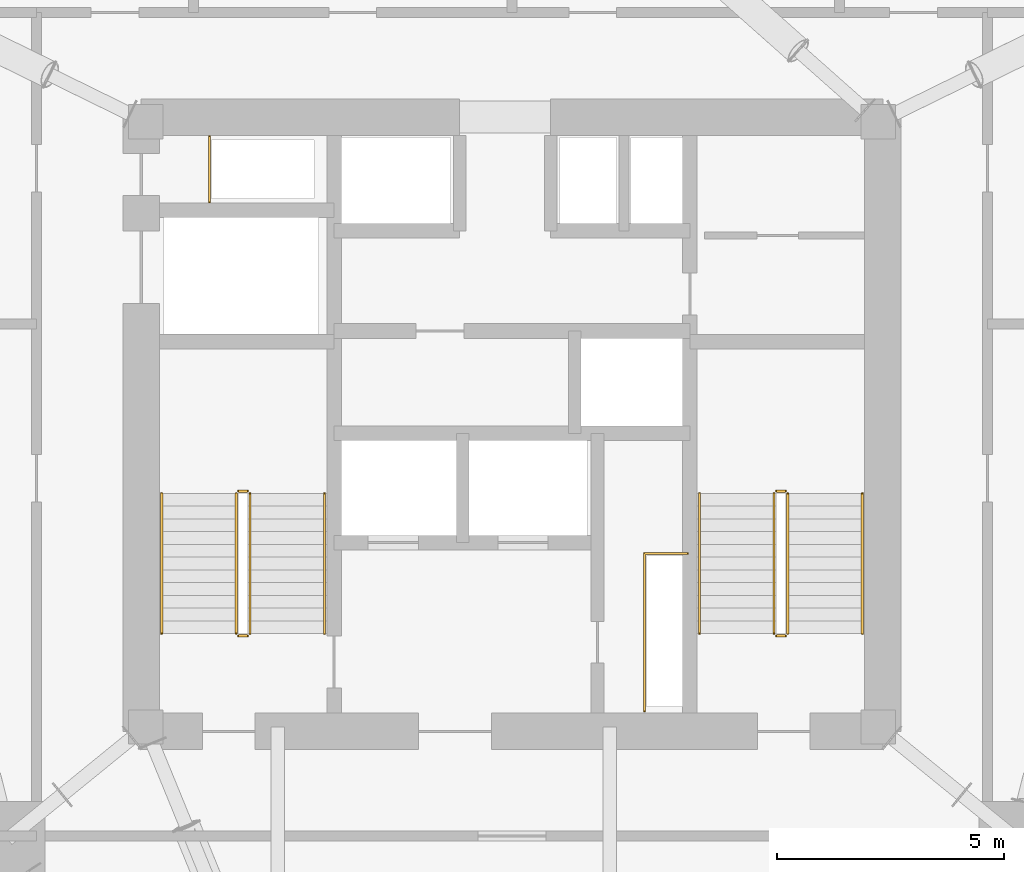
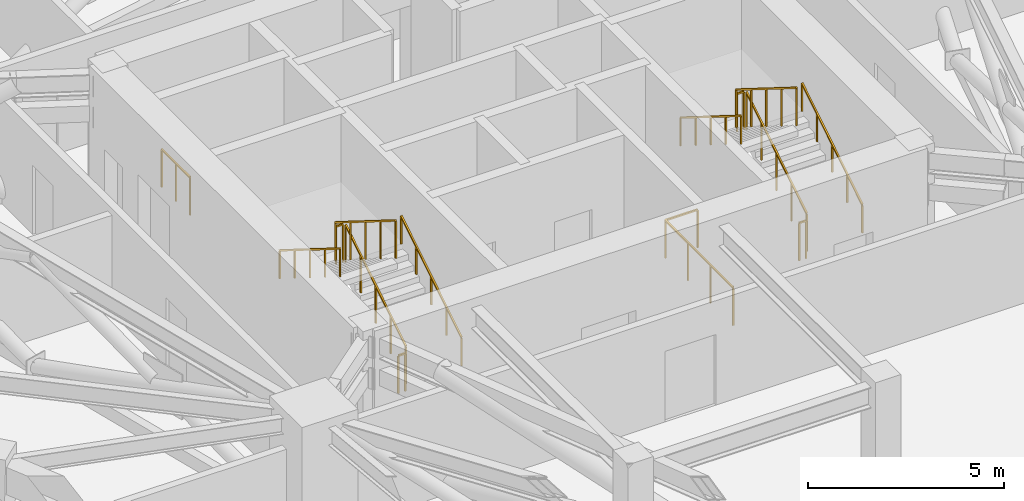
# One storey, part 14 of 14: 14 railings.
"""IFC4 building model written with IfcOpenShell, lengths in metres."""

from ifc_helpers import new_model, si_unit, direction, frame, origin, origin_2d, place, context, subcontext, project, spatial, rectangle, extrude, material, type_object, element, save


model = new_model("IFC4")

# Units and contexts
model_context = context("Model", 3, precision=1e-05, world=origin(), true_north=direction((0.0, 1.0)))
body_context = subcontext(model_context, "Body", "Model", "MODEL_VIEW")
ifc_project = project(units=[si_unit("LENGTHUNIT", "METRE"), si_unit("AREAUNIT", "SQUARE_METRE"), si_unit("VOLUMEUNIT", "CUBIC_METRE"), si_unit("PLANEANGLEUNIT", "RADIAN"), si_unit("MASSUNIT", "GRAM", prefix="KILO")], contexts=[model_context])

# Site, building, storey
site_placement = place(None, origin())
site = spatial("IfcSite", under=ifc_project, at=site_placement, CompositionType="ELEMENT")
building_placement = place(site_placement, origin())
building = spatial("IfcBuilding", under=site, at=building_placement, Name="Talyreon Biosciences Tower", CompositionType="ELEMENT")
storey_placement = place(building_placement, frame((0.0, 0.0, 123.0)))
storey = spatial("IfcBuildingStorey", under=building, at=storey_placement, Name="L32", CompositionType="ELEMENT", Elevation=123.0)

# Railings
ifc_material_1 = material(Name="Brushed stainless-steel tubular handrail", Category="steel")
railing_type_1 = type_object("IfcRailingType", Name="StairWallHandrail_900", PredefinedType="HANDRAIL", material=ifc_material_1)
railing_1_placement = place(storey_placement, frame((61.8798828125, 63.39990234375, 0.175048828125)))
element("IfcRailing", 1, at=railing_1_placement, inside=storey, type_object=railing_type_1, Name="L32 ST-1 stair handrail 1", PredefinedType="HANDRAIL", context=body_context, shape_type="SweptSolid", body=[
    extrude(rectangle(XDim=0.048095703125, YDim=0.048095703125, at=origin_2d()), frame((0.0, 0.0, 0.8759765625), z_axis=(0.0, 0.847998304005, 0.529998940003), x_axis=(-1.0, 0.0, 0.0)), (0.0, 0.0, 1.0), 3.632080078125),
    extrude(rectangle(XDim=0.0419921875, YDim=0.0419921875, at=origin_2d()), origin(), (0.0, 0.0, 1.0), 0.851806640625),
    extrude(rectangle(XDim=0.0419921875, YDim=0.0419921875, at=origin_2d()), frame((0.0, 0.77001953125, 0.481201171875)), (0.0, 0.0, 1.0), 0.851806640625),
    extrude(rectangle(XDim=0.0419921875, YDim=0.0419921875, at=origin_2d()), frame((0.0, 1.5400390625, 0.96240234375)), (0.0, 0.0, 1.0), 0.851806640625),
    extrude(rectangle(XDim=0.0419921875, YDim=0.0419921875, at=origin_2d()), frame((0.0, 2.31005859375, 1.44384765625)), (0.0, 0.0, 1.0), 0.851806640625),
    extrude(rectangle(XDim=0.0419921875, YDim=0.0419921875, at=origin_2d()), frame((0.0, 3.080078125, 1.925048828125)), (0.0, 0.0, 1.0), 0.851806640625),
])
railing_2_placement = place(storey_placement, frame((58.300048828125, 66.47998046875, 2.27490234375)))
element("IfcRailing", 2, at=railing_2_placement, inside=storey, type_object=railing_type_1, Name="L32 ST-1 stair handrail 2", PredefinedType="HANDRAIL", context=body_context, shape_type="SweptSolid", body=[
    extrude(rectangle(XDim=0.048095703125, YDim=0.048095703125, at=origin_2d()), frame((0.0, 0.0, 0.8759765625), z_axis=(0.0, -0.847998304005, 0.529998940003), x_axis=(1.0, 0.0, 0.0)), (0.0, 0.0, 1.0), 3.632080078125),
    extrude(rectangle(XDim=0.0419921875, YDim=0.0419921875, at=origin_2d()), origin(), (0.0, 0.0, 1.0), 0.851806640625),
    extrude(rectangle(XDim=0.0419921875, YDim=0.0419921875, at=origin_2d()), frame((0.0, -0.77001953125, 0.481201171875)), (0.0, 0.0, 1.0), 0.851806640625),
    extrude(rectangle(XDim=0.0419921875, YDim=0.0419921875, at=origin_2d()), frame((0.0, -1.5400390625, 0.96240234375)), (0.0, 0.0, 1.0), 0.851806640625),
    extrude(rectangle(XDim=0.0419921875, YDim=0.0419921875, at=origin_2d()), frame((0.0, -2.31005859375, 1.44384765625)), (0.0, 0.0, 1.0), 0.851806640625),
    extrude(rectangle(XDim=0.0419921875, YDim=0.0419921875, at=origin_2d()), frame((0.0, -3.080078125, 1.925048828125)), (0.0, 0.0, 1.0), 0.851806640625),
])
railing_3_placement = place(storey_placement, frame((73.699951171875, 63.39990234375, 0.175048828125)))
element("IfcRailing", 3, at=railing_3_placement, inside=storey, type_object=railing_type_1, Name="L32 ST-2 stair handrail 1", PredefinedType="HANDRAIL", context=body_context, shape_type="SweptSolid", body=[
    extrude(rectangle(XDim=0.048095703125, YDim=0.048095703125, at=origin_2d()), frame((0.0, 0.0, 0.8759765625), z_axis=(0.0, 0.847998304005, 0.529998940003), x_axis=(-1.0, 0.0, 0.0)), (0.0, 0.0, 1.0), 3.632080078125),
    extrude(rectangle(XDim=0.0419921875, YDim=0.0419921875, at=origin_2d()), origin(), (0.0, 0.0, 1.0), 0.851806640625),
    extrude(rectangle(XDim=0.0419921875, YDim=0.0419921875, at=origin_2d()), frame((0.0, 0.77001953125, 0.481201171875)), (0.0, 0.0, 1.0), 0.851806640625),
    extrude(rectangle(XDim=0.0419921875, YDim=0.0419921875, at=origin_2d()), frame((0.0, 1.5400390625, 0.96240234375)), (0.0, 0.0, 1.0), 0.851806640625),
    extrude(rectangle(XDim=0.0419921875, YDim=0.0419921875, at=origin_2d()), frame((0.0, 2.31005859375, 1.44384765625)), (0.0, 0.0, 1.0), 0.851806640625),
    extrude(rectangle(XDim=0.0419921875, YDim=0.0419921875, at=origin_2d()), frame((0.0, 3.080078125, 1.925048828125)), (0.0, 0.0, 1.0), 0.851806640625),
])
railing_4_placement = place(storey_placement, frame((70.1201171875, 66.47998046875, 2.27490234375)))
element("IfcRailing", 4, at=railing_4_placement, inside=storey, type_object=railing_type_1, Name="L32 ST-2 stair handrail 2", PredefinedType="HANDRAIL", context=body_context, shape_type="SweptSolid", body=[
    extrude(rectangle(XDim=0.048095703125, YDim=0.048095703125, at=origin_2d()), frame((0.0, 0.0, 0.8759765625), z_axis=(0.0, -0.847998304005, 0.529998940003), x_axis=(1.0, 0.0, 0.0)), (0.0, 0.0, 1.0), 3.632080078125),
    extrude(rectangle(XDim=0.0419921875, YDim=0.0419921875, at=origin_2d()), origin(), (0.0, 0.0, 1.0), 0.851806640625),
    extrude(rectangle(XDim=0.0419921875, YDim=0.0419921875, at=origin_2d()), frame((0.0, -0.77001953125, 0.481201171875)), (0.0, 0.0, 1.0), 0.851806640625),
    extrude(rectangle(XDim=0.0419921875, YDim=0.0419921875, at=origin_2d()), frame((0.0, -1.5400390625, 0.96240234375)), (0.0, 0.0, 1.0), 0.851806640625),
    extrude(rectangle(XDim=0.0419921875, YDim=0.0419921875, at=origin_2d()), frame((0.0, -2.31005859375, 1.44384765625)), (0.0, 0.0, 1.0), 0.851806640625),
    extrude(rectangle(XDim=0.0419921875, YDim=0.0419921875, at=origin_2d()), frame((0.0, -3.080078125, 1.925048828125)), (0.0, 0.0, 1.0), 0.851806640625),
])
ifc_material_2 = material(Name="Painted galvanised steel post-and-rail balustrade", Category="steel")
railing_type_2 = type_object("IfcRailingType", Name="TerraceStairGuard_1200", PredefinedType="GUARDRAIL", material=ifc_material_2)
railing_5_placement = place(storey_placement, frame((60.239990234375, 63.39990234375, 0.175048828125)))
element("IfcRailing", 5, at=railing_5_placement, inside=storey, type_object=railing_type_2, Name="L32 ST-1 stair guard 1", PredefinedType="GUARDRAIL", context=body_context, shape_type="SweptSolid", body=[
    extrude(rectangle(XDim=0.048095703125, YDim=0.048095703125, at=origin_2d()), frame((0.0, 0.0, 1.17578125), z_axis=(0.0, 0.847998304005, 0.529998940003), x_axis=(-1.0, 0.0, 0.0)), (0.0, 0.0, 1.0), 3.632080078125),
    extrude(rectangle(XDim=0.0419921875, YDim=0.0419921875, at=origin_2d()), origin(), (0.0, 0.0, 1.0), 1.15185546875),
    extrude(rectangle(XDim=0.0419921875, YDim=0.0419921875, at=origin_2d()), frame((0.0, 0.77001953125, 0.481201171875)), (0.0, 0.0, 1.0), 1.15185546875),
    extrude(rectangle(XDim=0.0419921875, YDim=0.0419921875, at=origin_2d()), frame((0.0, 1.5400390625, 0.96240234375)), (0.0, 0.0, 1.0), 1.15185546875),
    extrude(rectangle(XDim=0.0419921875, YDim=0.0419921875, at=origin_2d()), frame((0.0, 2.31005859375, 1.44384765625)), (0.0, 0.0, 1.0), 1.15185546875),
    extrude(rectangle(XDim=0.0419921875, YDim=0.0419921875, at=origin_2d()), frame((0.0, 3.080078125, 1.925048828125)), (0.0, 0.0, 1.0), 1.15185546875),
])
railing_6_placement = place(storey_placement, frame((60.18994140625, 66.530029296875, 2.10009765625)))
element("IfcRailing", 6, at=railing_6_placement, inside=storey, type_object=railing_type_2, Name="L32 ST-1 stair guard 2", PredefinedType="GUARDRAIL", context=body_context, shape_type="SweptSolid", body=[
    extrude(rectangle(XDim=0.048095703125, YDim=0.048095703125, at=origin_2d()), frame((0.0, 0.0, 1.17578125), z_axis=(-1.0, 0.0, 0.0), x_axis=(0.0, -1.0, 0.0)), (0.0, 0.0, 1.0), 0.199951171875),
    extrude(rectangle(XDim=0.0419921875, YDim=0.0419921875, at=origin_2d()), origin(), (0.0, 0.0, 1.0), 1.15185546875),
    extrude(rectangle(XDim=0.0419921875, YDim=0.0419921875, at=origin_2d()), frame((-0.199951171875, 0.0, 0.0)), (0.0, 0.0, 1.0), 1.15185546875),
])
railing_7_placement = place(storey_placement, frame((59.93994140625, 66.47998046875, 2.27490234375)))
element("IfcRailing", 7, at=railing_7_placement, inside=storey, type_object=railing_type_2, Name="L32 ST-1 stair guard 3", PredefinedType="GUARDRAIL", context=body_context, shape_type="SweptSolid", body=[
    extrude(rectangle(XDim=0.048095703125, YDim=0.048095703125, at=origin_2d()), frame((0.0, 0.0, 1.17578125), z_axis=(0.0, -0.847998304005, 0.529998940003), x_axis=(1.0, 0.0, 0.0)), (0.0, 0.0, 1.0), 3.632080078125),
    extrude(rectangle(XDim=0.0419921875, YDim=0.0419921875, at=origin_2d()), origin(), (0.0, 0.0, 1.0), 1.15185546875),
    extrude(rectangle(XDim=0.0419921875, YDim=0.0419921875, at=origin_2d()), frame((0.0, -0.77001953125, 0.481201171875)), (0.0, 0.0, 1.0), 1.15185546875),
    extrude(rectangle(XDim=0.0419921875, YDim=0.0419921875, at=origin_2d()), frame((0.0, -1.5400390625, 0.96240234375)), (0.0, 0.0, 1.0), 1.15185546875),
    extrude(rectangle(XDim=0.0419921875, YDim=0.0419921875, at=origin_2d()), frame((0.0, -2.31005859375, 1.44384765625)), (0.0, 0.0, 1.0), 1.15185546875),
    extrude(rectangle(XDim=0.0419921875, YDim=0.0419921875, at=origin_2d()), frame((0.0, -3.080078125, 1.925048828125)), (0.0, 0.0, 1.0), 1.15185546875),
])
railing_8_placement = place(storey_placement, frame((60.18994140625, 63.35009765625, 0.0)))
element("IfcRailing", 8, at=railing_8_placement, inside=storey, type_object=railing_type_2, Name="L32 ST-1 stair guard 4", PredefinedType="GUARDRAIL", context=body_context, shape_type="SweptSolid", body=[
    extrude(rectangle(XDim=0.048095703125, YDim=0.048095703125, at=origin_2d()), frame((0.0, 0.0, 1.17578125), z_axis=(-1.0, 0.0, 0.0), x_axis=(0.0, -1.0, 0.0)), (0.0, 0.0, 1.0), 0.199951171875),
    extrude(rectangle(XDim=0.0419921875, YDim=0.0419921875, at=origin_2d()), origin(), (0.0, 0.0, 1.0), 1.15185546875),
    extrude(rectangle(XDim=0.0419921875, YDim=0.0419921875, at=origin_2d()), frame((-0.199951171875, 0.0, 0.0)), (0.0, 0.0, 1.0), 1.15185546875),
])
railing_9_placement = place(storey_placement, frame((72.06005859375, 63.39990234375, 0.175048828125)))
element("IfcRailing", 9, at=railing_9_placement, inside=storey, type_object=railing_type_2, Name="L32 ST-2 stair guard 1", PredefinedType="GUARDRAIL", context=body_context, shape_type="SweptSolid", body=[
    extrude(rectangle(XDim=0.048095703125, YDim=0.048095703125, at=origin_2d()), frame((0.0, 0.0, 1.17578125), z_axis=(0.0, 0.847998304005, 0.529998940003), x_axis=(-1.0, 0.0, 0.0)), (0.0, 0.0, 1.0), 3.632080078125),
    extrude(rectangle(XDim=0.0419921875, YDim=0.0419921875, at=origin_2d()), origin(), (0.0, 0.0, 1.0), 1.15185546875),
    extrude(rectangle(XDim=0.0419921875, YDim=0.0419921875, at=origin_2d()), frame((0.0, 0.77001953125, 0.481201171875)), (0.0, 0.0, 1.0), 1.15185546875),
    extrude(rectangle(XDim=0.0419921875, YDim=0.0419921875, at=origin_2d()), frame((0.0, 1.5400390625, 0.96240234375)), (0.0, 0.0, 1.0), 1.15185546875),
    extrude(rectangle(XDim=0.0419921875, YDim=0.0419921875, at=origin_2d()), frame((0.0, 2.31005859375, 1.44384765625)), (0.0, 0.0, 1.0), 1.15185546875),
    extrude(rectangle(XDim=0.0419921875, YDim=0.0419921875, at=origin_2d()), frame((0.0, 3.080078125, 1.925048828125)), (0.0, 0.0, 1.0), 1.15185546875),
])
railing_10_placement = place(storey_placement, frame((72.010009765625, 66.530029296875, 2.10009765625)))
element("IfcRailing", 10, at=railing_10_placement, inside=storey, type_object=railing_type_2, Name="L32 ST-2 stair guard 2", PredefinedType="GUARDRAIL", context=body_context, shape_type="SweptSolid", body=[
    extrude(rectangle(XDim=0.048095703125, YDim=0.048095703125, at=origin_2d()), frame((0.0, 0.0, 1.17578125), z_axis=(-1.0, 0.0, 0.0), x_axis=(0.0, -1.0, 0.0)), (0.0, 0.0, 1.0), 0.199951171875),
    extrude(rectangle(XDim=0.0419921875, YDim=0.0419921875, at=origin_2d()), origin(), (0.0, 0.0, 1.0), 1.15185546875),
    extrude(rectangle(XDim=0.0419921875, YDim=0.0419921875, at=origin_2d()), frame((-0.199951171875, 0.0, 0.0)), (0.0, 0.0, 1.0), 1.15185546875),
])
railing_11_placement = place(storey_placement, frame((71.760009765625, 66.47998046875, 2.27490234375)))
element("IfcRailing", 11, at=railing_11_placement, inside=storey, type_object=railing_type_2, Name="L32 ST-2 stair guard 3", PredefinedType="GUARDRAIL", context=body_context, shape_type="SweptSolid", body=[
    extrude(rectangle(XDim=0.048095703125, YDim=0.048095703125, at=origin_2d()), frame((0.0, 0.0, 1.17578125), z_axis=(0.0, -0.847998304005, 0.529998940003), x_axis=(1.0, 0.0, 0.0)), (0.0, 0.0, 1.0), 3.632080078125),
    extrude(rectangle(XDim=0.0419921875, YDim=0.0419921875, at=origin_2d()), origin(), (0.0, 0.0, 1.0), 1.15185546875),
    extrude(rectangle(XDim=0.0419921875, YDim=0.0419921875, at=origin_2d()), frame((0.0, -0.77001953125, 0.481201171875)), (0.0, 0.0, 1.0), 1.15185546875),
    extrude(rectangle(XDim=0.0419921875, YDim=0.0419921875, at=origin_2d()), frame((0.0, -1.5400390625, 0.96240234375)), (0.0, 0.0, 1.0), 1.15185546875),
    extrude(rectangle(XDim=0.0419921875, YDim=0.0419921875, at=origin_2d()), frame((0.0, -2.31005859375, 1.44384765625)), (0.0, 0.0, 1.0), 1.15185546875),
    extrude(rectangle(XDim=0.0419921875, YDim=0.0419921875, at=origin_2d()), frame((0.0, -3.080078125, 1.925048828125)), (0.0, 0.0, 1.0), 1.15185546875),
])
railing_12_placement = place(storey_placement, frame((72.010009765625, 63.35009765625, 0.0)))
element("IfcRailing", 12, at=railing_12_placement, inside=storey, type_object=railing_type_2, Name="L32 ST-2 stair guard 4", PredefinedType="GUARDRAIL", context=body_context, shape_type="SweptSolid", body=[
    extrude(rectangle(XDim=0.048095703125, YDim=0.048095703125, at=origin_2d()), frame((0.0, 0.0, 1.17578125), z_axis=(-1.0, 0.0, 0.0), x_axis=(0.0, -1.0, 0.0)), (0.0, 0.0, 1.0), 0.199951171875),
    extrude(rectangle(XDim=0.0419921875, YDim=0.0419921875, at=origin_2d()), origin(), (0.0, 0.0, 1.0), 1.15185546875),
    extrude(rectangle(XDim=0.0419921875, YDim=0.0419921875, at=origin_2d()), frame((-0.199951171875, 0.0, 0.0)), (0.0, 0.0, 1.0), 1.15185546875),
])
railing_13_placement = place(storey_placement, frame((59.35009765625, 72.8798828125, 0.0)))
element("IfcRailing", 13, at=railing_13_placement, inside=storey, type_object=railing_type_2, Name="L32 Exhaust Riser Maintenance Guardrail", PredefinedType="GUARDRAIL", context=body_context, shape_type="SweptSolid", body=[
    extrude(rectangle(XDim=0.048095703125, YDim=0.048095703125, at=origin_2d()), frame((0.0, 0.0, 1.17578125), z_axis=(0.0, 1.0, 0.0), x_axis=(-1.0, 0.0, 0.0)), (0.0, 0.0, 1.0), 1.4501953125),
    extrude(rectangle(XDim=0.0419921875, YDim=0.0419921875, at=origin_2d()), origin(), (0.0, 0.0, 1.0), 1.15185546875),
    extrude(rectangle(XDim=0.0419921875, YDim=0.0419921875, at=origin_2d()), frame((0.0, 0.72509765625, 0.0)), (0.0, 0.0, 1.0), 1.15185546875),
    extrude(rectangle(XDim=0.0419921875, YDim=0.0419921875, at=origin_2d()), frame((0.0, 1.4501953125, 0.0)), (0.0, 0.0, 1.0), 1.15185546875),
])
railing_14_placement = place(storey_placement, frame((68.909912109375, 61.699951171875, 0.0)))
element("IfcRailing", 14, at=railing_14_placement, inside=storey, type_object=railing_type_2, Name="L32 Electrical Riser Maintenance Guardrail", PredefinedType="GUARDRAIL", context=body_context, shape_type="SweptSolid", body=[
    extrude(rectangle(XDim=0.048095703125, YDim=0.048095703125, at=origin_2d()), frame((0.0, 0.0, 1.17578125), z_axis=(0.0, 1.0, 0.0), x_axis=(-1.0, 0.0, 0.0)), (0.0, 0.0, 1.0), 3.4599609375),
    extrude(rectangle(XDim=0.048095703125, YDim=0.048095703125, at=origin_2d()), frame((0.0, 3.4599609375, 1.17578125), z_axis=(1.0, 0.0, 0.0), x_axis=(0.0, 1.0, 0.0)), (0.0, 0.0, 1.0), 0.9501953125),
    extrude(rectangle(XDim=0.0419921875, YDim=0.0419921875, at=origin_2d()), origin(), (0.0, 0.0, 1.0), 1.15185546875),
    extrude(rectangle(XDim=0.0419921875, YDim=0.0419921875, at=origin_2d()), frame((0.0, 1.1533203125, 0.0)), (0.0, 0.0, 1.0), 1.15185546875),
    extrude(rectangle(XDim=0.0419921875, YDim=0.0419921875, at=origin_2d()), frame((0.0, 2.306640625, 0.0)), (0.0, 0.0, 1.0), 1.15185546875),
    extrude(rectangle(XDim=0.0419921875, YDim=0.0419921875, at=origin_2d()), frame((0.0, 3.4599609375, 0.0)), (0.0, 0.0, 1.0), 1.15185546875),
    extrude(rectangle(XDim=0.0419921875, YDim=0.0419921875, at=origin_2d()), frame((0.9501953125, 3.4599609375, 0.0)), (0.0, 0.0, 1.0), 1.15185546875),
])

save(model, "model.ifc")
